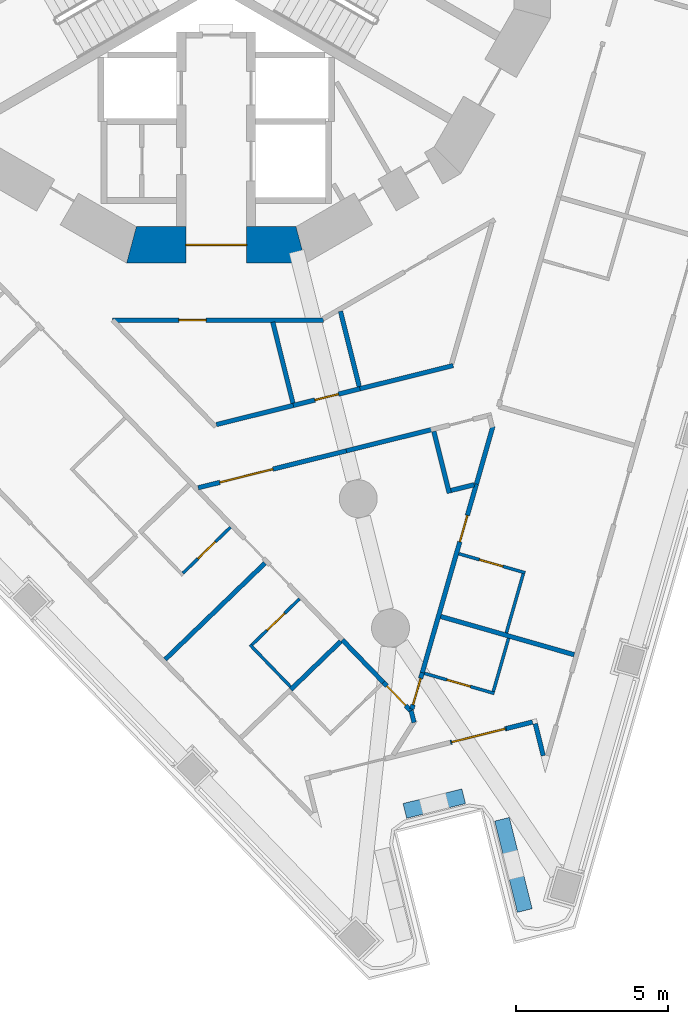
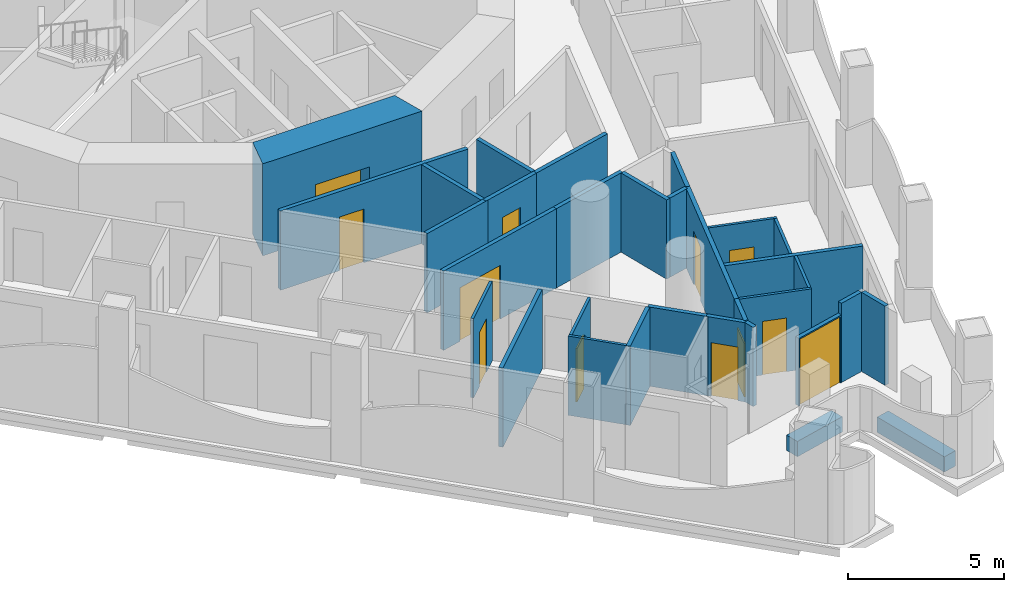
# One storey, part 4 of 20: 32 walls, 12 doors, 12 openings.
"""IFC4 building model written with IfcOpenShell, lengths in metres."""

from ifc_helpers import new_model, si_unit, direction, frame, frame_2d, origin, place, context, subcontext, project, spatial, polyline, rectangle, outline, extrude, material, layer, layer_set, type_object, element, fill, save


model = new_model("IFC4")

# Units and contexts
model_context = context("Model", 3, precision=1e-05, world=origin(), true_north=direction((0.0, 1.0)))
body_context = subcontext(model_context, "Body", "Model", "MODEL_VIEW")
ifc_project = project(units=[si_unit("LENGTHUNIT", "METRE"), si_unit("AREAUNIT", "SQUARE_METRE"), si_unit("VOLUMEUNIT", "CUBIC_METRE"), si_unit("PLANEANGLEUNIT", "RADIAN"), si_unit("MASSUNIT", "GRAM", prefix="KILO")], contexts=[model_context])

# Site, building, storey
site_placement = place(None, origin())
site = spatial("IfcSite", under=ifc_project, at=site_placement, CompositionType="ELEMENT")
building_placement = place(site_placement, origin())
building = spatial("IfcBuilding", under=site, at=building_placement, Name="Trine Commons Tower", CompositionType="ELEMENT")
storey_placement = place(building_placement, frame((0.0, 0.0, 116.10009765625)))
storey = spatial("IfcBuildingStorey", under=building, at=storey_placement, Name="L29", CompositionType="ELEMENT", Elevation=116.10009765625)

# Walls
ifc_material_1 = material(Name="Aluminium-framed insulated wall panel", Category="aluminium")
ifc_layer_1 = layer(ifc_material_1, 0.14990234375)
ifc_layer_set_1 = layer_set([ifc_layer_1], Name="Aluminium-framed insulated wall panel")
wall_type_1 = type_object("IfcWallType", Name="Glazed frame wall 150, EI 60", PredefinedType="SOLIDWALL", material=ifc_layer_set_1)
wall_1_placement = place(storey_placement, frame((90.810302734375, 35.118896484375, 0.0), z_axis=(0.0, 0.0, 1.0), x_axis=(-0.241937701072, 0.970291785393, 0.0)))
element("IfcWall", 1, at=wall_1_placement, inside=storey, type_object=wall_type_1, Name="Glazed frame wall R9", PredefinedType="SOLIDWALL", context=body_context, shape_type="SweptSolid", body=[
    extrude(outline(polyline([(0.1494140625, 0.074951171875), (0.1494140625, -0.074951171875), (1.235107421875, -0.074951171875), (1.235107421875, 0.074951171875), (0.1494140625, 0.074951171875)])), origin(), (0.0, 0.0, 1.0), 3.099853515625),
])
wall_2_placement = place(storey_placement, frame((90.527099609375, 36.398681640625, 0.0), z_axis=(0.0, 0.0, 1.0), x_axis=(-0.970285952705, -0.24196109188, 0.0)))
element("IfcWall", 2, at=wall_2_placement, inside=storey, type_object=wall_type_1, Name="Glazed frame wall P3.1", PredefinedType="SOLIDWALL", context=body_context, shape_type="SweptSolid", body=[
    extrude(outline(polyline([(0.110107421875, -0.074951171875), (1.0, -0.074951171875), (1.0, 0.074951171875), (0.110107421875, 0.074951171875), (0.110107421875, -0.074951171875)])), origin(), (0.0, 0.0, 1.0), 3.099853515625),
])

# Wall, opening, door
wall_3_placement = place(storey_placement, frame((89.556884765625, 36.15673828125, 0.0), z_axis=(0.0, 0.0, 1.0), x_axis=(-0.970285945114, -0.241961122321, 0.0)))
wall_3 = element("IfcWall", 3, at=wall_3_placement, inside=storey, type_object=wall_type_1, Name="Glazed frame wall P3.2", PredefinedType="SOLIDWALL", context=body_context, shape_type="SweptSolid", body=[
    extrude(outline(polyline([(0.0, -0.074951171875), (1.89990234375, -0.074951171875), (1.89990234375, 0.074951171875), (0.0, 0.074951171875), (0.0, -0.074951171875)])), origin(), (0.0, 0.0, 1.0), 2.64990234375),
])
opening_1_placement = place(wall_3_placement, frame((0.050048828125, 0.0, 0.0)))
opening_1 = element("IfcOpeningElement", 4, at=opening_1_placement, cuts=wall_3, Name="Opening BD-3P3-01", PredefinedType="OPENING", context=body_context, shape_type="SweptSolid", body=[
    extrude(rectangle(XDim=1.800048828125, YDim=2.60009765625, at=frame_2d((0.89990234375, 1.300048828125))), frame((0.0, 0.0849609375, 0.0), z_axis=(0.0, -1.0, 0.0), x_axis=(1.0, 0.0, 0.0)), (0.0, 0.0, 1.0), 0.169921875),
])
ifc_material_2 = material(Name="Anodised aluminium frame with double glazing", Category="aluminium")
door_type_1 = type_object("IfcDoorType", Name="Sliding loggia door 1800x2600", OperationType="SLIDING_TO_LEFT", PredefinedType="DOOR", material=ifc_material_2)
door_1_placement = place(opening_1_placement, origin())
door_1 = element("IfcDoor", 5, at=door_1_placement, inside=storey, type_object=door_type_1, Name="Loggia door P3 1", OperationType="SLIDING_TO_LEFT", OverallHeight=2.60009765625, OverallWidth=1.800048828125, PredefinedType="DOOR", context=body_context, shape_type="SweptSolid", body=[
    extrude(rectangle(XDim=1.800048828125, YDim=2.60009765625, at=frame_2d((0.89990234375, 1.300048828125))), frame((0.0, 0.02490234375, 0.0), z_axis=(0.0, -1.0, 0.0), x_axis=(1.0, 0.0, 0.0)), (0.0, 0.0, 1.0), 0.050048828125),
])
fill(opening_1, door_1)

# Walls
ifc_material_3 = material(Name="Planter trough, precast concrete C40/50", Category="concrete")
ifc_layer_2 = layer(ifc_material_3, 0.5)
ifc_layer_set_2 = layer_set([ifc_layer_2], Name="Planter trough, precast concrete C40/50")
wall_type_2 = type_object("IfcWallType", Name="Planter trough 500x600", PredefinedType="PARAPET", material=ifc_layer_set_2)
wall_4_placement = place(storey_placement, frame((90.16552734375, 30.160888671875, 0.0), z_axis=(0.0, 0.0, 1.0), x_axis=(-0.2419425832, 0.970290568044, 0.0)))
element("IfcWall", 6, at=wall_4_placement, inside=storey, type_object=wall_type_2, Name="Planter 7", PredefinedType="PARAPET", context=body_context, shape_type="SweptSolid", body=[
    extrude(rectangle(XDim=3.099853515625, YDim=0.5, at=frame_2d((1.5498046875, 0.0))), origin(), (0.0, 0.0, 1.0), 0.599853515625),
])
wall_5_placement = place(storey_placement, frame((88.15478515625, 33.92626953125, 0.0), z_axis=(0.0, 0.0, 1.0), x_axis=(-0.970285952705, -0.24196109188, 0.0)))
element("IfcWall", 7, at=wall_5_placement, inside=storey, type_object=wall_type_2, Name="Planter 8", PredefinedType="PARAPET", context=body_context, shape_type="SweptSolid", body=[
    extrude(rectangle(XDim=1.999755859375, YDim=0.5, at=frame_2d((1.0, 0.0))), origin(), (0.0, 0.0, 1.0), 0.599853515625),
])

# Wall, opening, door
ifc_material_4 = material(Name="Concrete C70/85", Category="concrete")
ifc_layer_3 = layer(ifc_material_4, 1.199951171875)
ifc_layer_set_3 = layer_set([ifc_layer_3], Name="Concrete C70/85")
wall_type_3 = type_object("IfcWallType", Name="RC shear wall 1200 mm, C70/85", PredefinedType="SHEAR", material=ifc_layer_set_3)
wall_6_placement = place(storey_placement, frame((77.049560546875, 52.08837890625, 0.0), z_axis=(0.0, 0.0, 1.0), x_axis=(1.0, 0.0, 0.0)))
wall_6 = element("IfcWall", 8, at=wall_6_placement, inside=storey, type_object=wall_type_3, Name="Core wall CWC-10 L29", PredefinedType="SHEAR", context=body_context, shape_type="SweptSolid", body=[
    extrude(outline(polyline([(0.0, -0.60009765625), (5.90087890625, -0.60009765625), (5.57958984375, 0.60009765625), (0.321533203125, 0.60009765625), (0.0, -0.60009765625)])), origin(), (0.0, 0.0, 1.0), 3.599853515625),
])
opening_2_placement = place(wall_6_placement, frame((1.950439453125, 0.0, 0.0)))
opening_2 = element("IfcOpeningElement", 9, at=opening_2_placement, cuts=wall_6, Name="Opening K04.08", PredefinedType="OPENING", context=body_context, shape_type="SweptSolid", body=[
    extrude(rectangle(XDim=2.0, YDim=2.10009765625, at=frame_2d((1.0, 1.050048828125))), frame((0.0, 0.60986328125, 0.0), z_axis=(0.0, -1.0, 0.0), x_axis=(1.0, 0.0, 0.0)), (0.0, 0.0, 1.0), 1.219970703125),
])
ifc_material_5 = material(Name="Steel door leaves, fire-rated", Category="steel")
door_type_2 = type_object("IfcDoorType", Name="Lobby door, double leaf 2000 x 2100, FD60", OperationType="DOUBLE_DOOR_SINGLE_SWING", PredefinedType="DOOR", material=ifc_material_5)
door_2_placement = place(opening_2_placement, origin())
door_2 = element("IfcDoor", 10, at=door_2_placement, inside=storey, type_object=door_type_2, Name="Lobby door, Service and firefighting lobby L29", OperationType="DOUBLE_DOOR_SINGLE_SWING", OverallHeight=2.10009765625, OverallWidth=2.0, PredefinedType="DOOR", context=body_context, shape_type="SweptSolid", body=[
    extrude(rectangle(XDim=2.0, YDim=2.10009765625, at=frame_2d((1.0, 1.050048828125))), frame((0.0, 0.02490234375, 0.0), z_axis=(0.0, -1.0, 0.0), x_axis=(1.0, 0.0, 0.0)), (0.0, 0.0, 1.0), 0.050048828125),
])
fill(opening_2, door_2)

ifc_material_6 = material(Name="Gypsum plasterboard on steel stud", Category="steel")
ifc_layer_4 = layer(ifc_material_6, 0.14990234375)
ifc_layer_set_4 = layer_set([ifc_layer_4], Name="Gypsum plasterboard on steel stud")
wall_type_4 = type_object("IfcWallType", Name="Unit and corridor wall 150 mm, EI 60", PredefinedType="PARTITIONING", material=ifc_layer_set_4)
wall_7_placement = place(storey_placement, frame((76.583984375, 49.613037109375, 0.0), z_axis=(0.0, 0.0, 1.0), x_axis=(1.0, 0.0, 0.0)))
wall_7 = element("IfcWall", 11, at=wall_7_placement, inside=storey, type_object=wall_type_4, Name="Partition 060", PredefinedType="PARTITIONING", context=body_context, shape_type="SweptSolid", body=[
    extrude(rectangle(XDim=6.944091796875, YDim=0.14990234375, at=frame_2d((3.47216796875, 0.0))), origin(), (0.0, 0.0, 1.0), 3.099853515625),
])
opening_3_placement = place(wall_7_placement, frame((2.18359375, 0.0, 0.0)))
opening_3 = element("IfcOpeningElement", 12, at=opening_3_placement, cuts=wall_7, Name="Opening D-3C38", PredefinedType="OPENING", context=body_context, shape_type="SweptSolid", body=[
    extrude(rectangle(XDim=0.89990234375, YDim=2.10009765625, at=frame_2d((0.449951171875, 1.050048828125))), frame((0.0, 0.0849609375, 0.0), z_axis=(0.0, -1.0, 0.0), x_axis=(1.0, 0.0, 0.0)), (0.0, 0.0, 1.0), 0.169921875),
])
ifc_material_7 = material(Name="Timber fire door set", Category="wood")
door_type_3 = type_object("IfcDoorType", Name="Service door 900 x 2100, FD30S", OperationType="NOTDEFINED", PredefinedType="DOOR", material=ifc_material_7)
door_3_placement = place(opening_3_placement, frame((0.89990234375, 0.0, 0.0), z_axis=(0.0, 0.0, 1.0), x_axis=(-1.0, 0.0, 0.0)))
door_3 = element("IfcDoor", 13, at=door_3_placement, inside=storey, type_object=door_type_3, Name="Door D-3C38", OperationType="SINGLE_SWING_RIGHT", OverallHeight=2.10009765625, OverallWidth=0.89990234375, PredefinedType="DOOR", context=body_context, shape_type="SweptSolid", body=[
    extrude(rectangle(XDim=0.89990234375, YDim=2.10009765625, at=frame_2d((0.449951171875, 1.050048828125))), frame((0.0, 0.02490234375, 0.0), z_axis=(0.0, -1.0, 0.0), x_axis=(1.0, 0.0, 0.0)), (0.0, 0.0, 1.0), 0.050048828125),
])
fill(opening_3, door_3)

# Wall
wall_8_placement = place(storey_placement, frame((78.31982421875, 38.430908203125, 0.0), z_axis=(0.0, 0.0, 1.0), x_axis=(0.719360056376, 0.694637394106, 0.0)))
element("IfcWall", 14, at=wall_8_placement, inside=storey, type_object=wall_type_4, Name="Partition 066", PredefinedType="PARTITIONING", context=body_context, shape_type="SweptSolid", body=[
    extrude(rectangle(XDim=4.572265625, YDim=0.14990234375, at=frame_2d((2.2861328125, 0.0))), origin(), (0.0, 0.0, 1.0), 3.099853515625),
])

# Wall, opening, door
wall_9_placement = place(storey_placement, frame((79.40869140625, 44.087158203125, 0.0), z_axis=(0.0, 0.0, 1.0), x_axis=(0.970285120957, 0.241964427241, 0.0)))
wall_9 = element("IfcWall", 15, at=wall_9_placement, inside=storey, type_object=wall_type_4, Name="Partition 069", PredefinedType="PARTITIONING", context=body_context, shape_type="SweptSolid", body=[
    extrude(rectangle(XDim=5.02880859375, YDim=0.14990234375, at=frame_2d((2.514404296875, 0.0))), origin(), (0.0, 0.0, 1.0), 3.099853515625),
])
opening_4_placement = place(wall_9_placement, frame((0.735595703125, 0.0, 0.0)))
opening_4 = element("IfcOpeningElement", 16, at=opening_4_placement, cuts=wall_9, Name="Opening D-3C02", PredefinedType="OPENING", context=body_context, shape_type="SweptSolid", body=[
    extrude(rectangle(XDim=1.800048828125, YDim=2.10009765625, at=frame_2d((0.89990234375, 1.050048828125))), frame((0.0, 0.0849609375, 0.0), z_axis=(0.0, -1.0, 0.0), x_axis=(1.0, 0.0, 0.0)), (0.0, 0.0, 1.0), 0.169921875),
])
door_type_4 = type_object("IfcDoorType", Name="Cluster entrance door 1800 x 2100, double leaf, FD30S", OperationType="DOUBLE_DOOR_DOUBLE_SWING", PredefinedType="DOOR", material=ifc_material_7)
door_4_placement = place(opening_4_placement, frame((1.800048828125, 0.0, 0.0), z_axis=(0.0, 0.0, 1.0), x_axis=(-1.0, 0.0, 0.0)))
door_4 = element("IfcDoor", 17, at=door_4_placement, inside=storey, type_object=door_type_4, Name="Door D-3C02", OperationType="DOUBLE_DOOR_DOUBLE_SWING", OverallHeight=2.10009765625, OverallWidth=1.800048828125, PredefinedType="DOOR", context=body_context, shape_type="SweptSolid", body=[
    extrude(rectangle(XDim=1.800048828125, YDim=2.10009765625, at=frame_2d((0.89990234375, 1.050048828125))), frame((0.0, 0.02490234375, 0.0), z_axis=(0.0, -1.0, 0.0), x_axis=(1.0, 0.0, 0.0)), (0.0, 0.0, 1.0), 0.050048828125),
])
fill(opening_4, door_4)

# Walls
wall_10_placement = place(storey_placement, frame((80.005859375, 46.168212890625, 0.0), z_axis=(0.0, 0.0, 1.0), x_axis=(0.970307222534, 0.241875781957, 0.0)))
element("IfcWall", 18, at=wall_10_placement, inside=storey, type_object=wall_type_4, Name="Partition 070", PredefinedType="PARTITIONING", context=body_context, shape_type="SweptSolid", body=[
    extrude(rectangle(XDim=2.698974609375, YDim=0.14990234375, at=frame_2d((1.349609375, 0.0))), origin(), (0.0, 0.0, 1.0), 3.099853515625),
])
wall_11_placement = place(storey_placement, frame((81.864990234375, 49.540283203125, 0.0), z_axis=(0.0, 0.0, 1.0), x_axis=(0.24199191412, -0.970278266015, 0.0)))
element("IfcWall", 19, at=wall_11_placement, inside=storey, type_object=wall_type_4, Name="Partition 077", PredefinedType="PARTITIONING", context=body_context, shape_type="SweptSolid", body=[
    extrude(rectangle(XDim=2.7470703125, YDim=0.14990234375, at=frame_2d((1.37353515625, 0.0))), origin(), (0.0, 0.0, 1.0), 3.099853515625),
])
wall_12_placement = place(storey_placement, frame((82.4619140625, 37.4423828125, 0.0), z_axis=(0.0, 0.0, 1.0), x_axis=(0.719213164188, 0.694789482116, 0.0)))
element("IfcWall", 20, at=wall_12_placement, inside=storey, type_object=wall_type_4, Name="Partition 079", PredefinedType="PARTITIONING", context=body_context, shape_type="SweptSolid", body=[
    extrude(rectangle(XDim=2.279052734375, YDim=0.14990234375, at=frame_2d((1.1396484375, 0.0))), origin(), (0.0, 0.0, 1.0), 3.099853515625),
])

# Wall, opening, door
wall_13_placement = place(storey_placement, frame((82.5439453125, 46.801025390625, 0.0), z_axis=(0.0, 0.0, 1.0), x_axis=(0.970237811433, 0.242154061015, 0.0)))
wall_13 = element("IfcWall", 21, at=wall_13_placement, inside=storey, type_object=wall_type_4, Name="Partition 080", PredefinedType="PARTITIONING", context=body_context, shape_type="SweptSolid", body=[
    extrude(rectangle(XDim=2.25830078125, YDim=0.14990234375, at=frame_2d((1.129150390625, 0.0))), origin(), (0.0, 0.0, 1.0), 3.099853515625),
])
opening_5_placement = place(wall_13_placement, frame((0.72900390625, 0.0, 0.0)))
opening_5 = element("IfcOpeningElement", 22, at=opening_5_placement, cuts=wall_13, Name="Opening D-3C41", PredefinedType="OPENING", context=body_context, shape_type="SweptSolid", body=[
    extrude(rectangle(XDim=0.800048828125, YDim=2.10009765625, at=frame_2d((0.39990234375, 1.050048828125))), frame((0.0, 0.0849609375, 0.0), z_axis=(0.0, -1.0, 0.0), x_axis=(1.0, 0.0, 0.0)), (0.0, 0.0, 1.0), 0.169921875),
])
ifc_material_8 = material(Name="Painted timber", Category="wood")
door_type_5 = type_object("IfcDoorType", Name="Toilet door 800 x 2100, NOT RATED", OperationType="NOTDEFINED", PredefinedType="DOOR", material=ifc_material_8)
door_5_placement = place(opening_5_placement, origin())
door_5 = element("IfcDoor", 23, at=door_5_placement, inside=storey, type_object=door_type_5, Name="Door D-3C41", OperationType="SINGLE_SWING_RIGHT", OverallHeight=2.10009765625, OverallWidth=0.800048828125, PredefinedType="DOOR", context=body_context, shape_type="SweptSolid", body=[
    extrude(rectangle(XDim=0.800048828125, YDim=2.10009765625, at=frame_2d((0.39990234375, 1.050048828125))), frame((0.0, 0.02490234375, 0.0), z_axis=(0.0, -1.0, 0.0), x_axis=(1.0, 0.0, 0.0)), (0.0, 0.0, 1.0), 0.050048828125),
])
fill(opening_5, door_5)

# Walls
wall_14_placement = place(storey_placement, frame((84.09521484375, 49.900146484375, 0.0), z_axis=(0.0, 0.0, 1.0), x_axis=(0.241659013466, -0.970361232331, 0.0)))
element("IfcWall", 24, at=wall_14_placement, inside=storey, type_object=wall_type_4, Name="Partition 086", PredefinedType="PARTITIONING", context=body_context, shape_type="SweptSolid", body=[
    extrude(rectangle(XDim=2.555908203125, YDim=0.14990234375, at=frame_2d((1.27783203125, 0.0))), origin(), (0.0, 0.0, 1.0), 3.099853515625),
])
wall_15_placement = place(storey_placement, frame((84.155029296875, 39.077880859375, 0.0), z_axis=(0.0, 0.0, 1.0), x_axis=(0.694942316006, -0.719065488967, 0.0)))
element("IfcWall", 25, at=wall_15_placement, inside=storey, type_object=wall_type_4, Name="Partition 088", PredefinedType="PARTITIONING", context=body_context, shape_type="SweptSolid", body=[
    extrude(rectangle(XDim=2.00390625, YDim=0.14990234375, at=frame_2d((1.001953125, 0.0))), origin(), (0.0, 0.0, 1.0), 3.099853515625),
])
wall_16_placement = place(storey_placement, frame((84.2880859375, 45.303955078125, 0.0), z_axis=(0.0, 0.0, 1.0), x_axis=(0.970312264522, 0.241855554658, 0.0)))
element("IfcWall", 26, at=wall_16_placement, inside=storey, type_object=wall_type_4, Name="Partition 089", PredefinedType="PARTITIONING", context=body_context, shape_type="SweptSolid", body=[
    extrude(rectangle(XDim=2.956787109375, YDim=0.14990234375, at=frame_2d((1.478515625, 0.0))), origin(), (0.0, 0.0, 1.0), 3.099853515625),
])
wall_17_placement = place(storey_placement, frame((84.72705078125, 47.345947265625, 0.0), z_axis=(0.0, 0.0, 1.0), x_axis=(0.970300600618, 0.241902344841, 0.0)))
element("IfcWall", 27, at=wall_17_placement, inside=storey, type_object=wall_type_4, Name="Partition 090", PredefinedType="PARTITIONING", context=body_context, shape_type="SweptSolid", body=[
    extrude(rectangle(XDim=3.175048828125, YDim=0.14990234375, at=frame_2d((1.58740234375, 0.0))), origin(), (0.0, 0.0, 1.0), 3.099853515625),
])

# Wall, opening, door
wall_18_placement = place(storey_placement, frame((85.508056640625, 37.677978515625, 0.0), z_axis=(0.0, 0.0, 1.0), x_axis=(0.694528581719, -0.719465113244, 0.0)))
wall_18 = element("IfcWall", 28, at=wall_18_placement, inside=storey, type_object=wall_type_4, Name="Partition 091", PredefinedType="PARTITIONING", context=body_context, shape_type="SweptSolid", body=[
    extrude(rectangle(XDim=1.32177734375, YDim=0.14990234375, at=frame_2d((0.660888671875, 0.0))), origin(), (0.0, 0.0, 1.0), 3.099853515625),
])
opening_6_placement = place(wall_18_placement, frame((0.165283203125, 0.0, 0.0)))
opening_6 = element("IfcOpeningElement", 29, at=opening_6_placement, cuts=wall_18, Name="Opening D-3C25", PredefinedType="OPENING", context=body_context, shape_type="SweptSolid", body=[
    extrude(rectangle(XDim=0.89990234375, YDim=2.10009765625, at=frame_2d((0.449951171875, 1.050048828125))), frame((0.0, 0.0849609375, 0.0), z_axis=(0.0, -1.0, 0.0), x_axis=(1.0, 0.0, 0.0)), (0.0, 0.0, 1.0), 0.169921875),
])
door_type_6 = type_object("IfcDoorType", Name="Bedroom door 900 x 2100, FD30S", OperationType="NOTDEFINED", PredefinedType="DOOR", material=ifc_material_7)
door_6_placement = place(opening_6_placement, frame((0.89990234375, 0.0, 0.0), z_axis=(0.0, 0.0, 1.0), x_axis=(-1.0, 0.0, 0.0)))
door_6 = element("IfcDoor", 30, at=door_6_placement, inside=storey, type_object=door_type_6, Name="Door D-3C25", OperationType="SINGLE_SWING_RIGHT", OverallHeight=2.10009765625, OverallWidth=0.89990234375, PredefinedType="DOOR", context=body_context, shape_type="SweptSolid", body=[
    extrude(rectangle(XDim=0.89990234375, YDim=2.10009765625, at=frame_2d((0.449951171875, 1.050048828125))), frame((0.0, 0.02490234375, 0.0), z_axis=(0.0, -1.0, 0.0), x_axis=(1.0, 0.0, 0.0)), (0.0, 0.0, 1.0), 0.050048828125),
])
fill(opening_6, door_6)

# Wall
wall_19_placement = place(storey_placement, frame((86.422119140625, 36.7421875, 0.0), z_axis=(0.0, 0.0, 1.0), x_axis=(0.241673946692, -0.970357513234, 0.0)))
element("IfcWall", 31, at=wall_19_placement, inside=storey, type_object=wall_type_4, Name="Partition 093", PredefinedType="PARTITIONING", context=body_context, shape_type="SweptSolid", body=[
    extrude(rectangle(XDim=0.400146484375, YDim=0.14990234375, at=frame_2d((0.2001953125, 0.0))), origin(), (0.0, 0.0, 1.0), 3.099853515625),
])

# Wall, opening, door
wall_20_placement = place(storey_placement, frame((86.446533203125, 36.799072265625, 0.0), z_axis=(0.0, 0.0, 1.0), x_axis=(0.275419104485, 0.961324251689, 0.0)))
wall_20 = element("IfcWall", 32, at=wall_20_placement, inside=storey, type_object=wall_type_4, Name="Partition 094", PredefinedType="PARTITIONING", context=body_context, shape_type="SweptSolid", body=[
    extrude(rectangle(XDim=1.247314453125, YDim=0.14990234375, at=frame_2d((0.62353515625, 0.0))), origin(), (0.0, 0.0, 1.0), 3.099853515625),
])
opening_7_placement = place(wall_20_placement, frame((0.14990234375, 0.0, 0.0)))
opening_7 = element("IfcOpeningElement", 33, at=opening_7_placement, cuts=wall_20, Name="Opening D-3C24", PredefinedType="OPENING", context=body_context, shape_type="SweptSolid", body=[
    extrude(rectangle(XDim=0.89990234375, YDim=2.10009765625, at=frame_2d((0.449951171875, 1.050048828125))), frame((0.0, 0.0849609375, 0.0), z_axis=(0.0, -1.0, 0.0), x_axis=(1.0, 0.0, 0.0)), (0.0, 0.0, 1.0), 0.169921875),
])
door_7_placement = place(opening_7_placement, frame((0.89990234375, 0.0, 0.0), z_axis=(0.0, 0.0, 1.0), x_axis=(-1.0, 0.0, 0.0)))
door_7 = element("IfcDoor", 34, at=door_7_placement, inside=storey, type_object=door_type_6, Name="Door D-3C24", OperationType="SINGLE_SWING_RIGHT", OverallHeight=2.10009765625, OverallWidth=0.89990234375, PredefinedType="DOOR", context=body_context, shape_type="SweptSolid", body=[
    extrude(rectangle(XDim=0.89990234375, YDim=2.10009765625, at=frame_2d((0.449951171875, 1.050048828125))), frame((0.0, 0.02490234375, 0.0), z_axis=(0.0, -1.0, 0.0), x_axis=(1.0, 0.0, 0.0)), (0.0, 0.0, 1.0), 0.050048828125),
])
fill(opening_7, door_7)

wall_21_placement = place(storey_placement, frame((86.774169921875, 37.94189453125, 0.0), z_axis=(0.0, 0.0, 1.0), x_axis=(0.27569065488, 0.961246411079, 0.0)))
wall_21 = element("IfcWall", 35, at=wall_21_placement, inside=storey, type_object=wall_type_4, Name="Partition 095", PredefinedType="PARTITIONING", context=body_context, shape_type="SweptSolid", body=[
    extrude(rectangle(XDim=6.517822265625, YDim=0.14990234375, at=frame_2d((3.2587890625, 0.0))), origin(), (0.0, 0.0, 1.0), 3.099853515625),
])
opening_8_placement = place(wall_21_placement, frame((4.542724609375, 0.0, 0.0)))
opening_8 = element("IfcOpeningElement", 36, at=opening_8_placement, cuts=wall_21, Name="Opening D-3C23", PredefinedType="OPENING", context=body_context, shape_type="SweptSolid", body=[
    extrude(rectangle(XDim=0.89990234375, YDim=2.10009765625, at=frame_2d((0.449951171875, 1.050048828125))), frame((0.0, 0.0849609375, 0.0), z_axis=(0.0, -1.0, 0.0), x_axis=(1.0, 0.0, 0.0)), (0.0, 0.0, 1.0), 0.169921875),
])
door_8_placement = place(opening_8_placement, frame((0.89990234375, 0.0, 0.0), z_axis=(0.0, 0.0, 1.0), x_axis=(-1.0, 0.0, 0.0)))
door_8 = element("IfcDoor", 37, at=door_8_placement, inside=storey, type_object=door_type_6, Name="Door D-3C23", OperationType="SINGLE_SWING_LEFT", OverallHeight=2.10009765625, OverallWidth=0.89990234375, PredefinedType="DOOR", context=body_context, shape_type="SweptSolid", body=[
    extrude(rectangle(XDim=0.89990234375, YDim=2.10009765625, at=frame_2d((0.449951171875, 1.050048828125))), frame((0.0, 0.02490234375, 0.0), z_axis=(0.0, -1.0, 0.0), x_axis=(1.0, 0.0, 0.0)), (0.0, 0.0, 1.0), 0.050048828125),
])
fill(opening_8, door_8)

# Walls
wall_22_placement = place(storey_placement, frame((87.171142578125, 45.9453125, 0.0), z_axis=(0.0, 0.0, 1.0), x_axis=(0.241879199479, -0.970306370617, 0.0)))
element("IfcWall", 38, at=wall_22_placement, inside=storey, type_object=wall_type_4, Name="Partition 099", PredefinedType="PARTITIONING", context=body_context, shape_type="SweptSolid", body=[
    extrude(rectangle(XDim=2.100341796875, YDim=0.14990234375, at=frame_2d((1.05029296875, 0.0))), origin(), (0.0, 0.0, 1.0), 3.099853515625),
])
wall_23_placement = place(storey_placement, frame((87.399169921875, 39.847412109375, 0.0), z_axis=(0.0, 0.0, 1.0), x_axis=(0.961251469363, -0.275673017626, 0.0)))
element("IfcWall", 39, at=wall_23_placement, inside=storey, type_object=wall_type_4, Name="Partition 100", PredefinedType="PARTITIONING", context=body_context, shape_type="SweptSolid", body=[
    extrude(rectangle(XDim=4.572509765625, YDim=0.14990234375, at=frame_2d((2.2861328125, 0.0))), origin(), (0.0, 0.0, 1.0), 3.099853515625),
])
wall_24_placement = place(storey_placement, frame((87.73388671875, 43.998291015625, 0.0), z_axis=(0.0, 0.0, 1.0), x_axis=(0.970342701531, 0.241733410155, 0.0)))
element("IfcWall", 40, at=wall_24_placement, inside=storey, type_object=wall_type_4, Name="Partition 101", PredefinedType="PARTITIONING", context=body_context, shape_type="SweptSolid", body=[
    extrude(rectangle(XDim=0.787841796875, YDim=0.14990234375, at=frame_2d((0.39404296875, 0.0))), origin(), (0.0, 0.0, 1.0), 3.099853515625),
])
wall_25_placement = place(storey_placement, frame((88.571044921875, 44.20703125, 0.0), z_axis=(0.0, 0.0, 1.0), x_axis=(0.275350032507, 0.961344038104, 0.0)))
element("IfcWall", 41, at=wall_25_placement, inside=storey, type_object=wall_type_4, Name="Partition 105", PredefinedType="PARTITIONING", context=body_context, shape_type="SweptSolid", body=[
    extrude(rectangle(XDim=1.99951171875, YDim=0.14990234375, at=frame_2d((0.999755859375, 0.0))), origin(), (0.0, 0.0, 1.0), 3.099853515625),
])

# Wall, opening, door
ifc_layer_5 = layer(ifc_material_6, 0.10009765625)
ifc_layer_set_5 = layer_set([ifc_layer_5], Name="Gypsum plasterboard on steel stud")
wall_type_5 = type_object("IfcWallType", Name="Unit partition 100 mm, no rating", PredefinedType="PARTITIONING", material=ifc_layer_set_5)
wall_26_placement = place(storey_placement, frame((78.906005859375, 41.274658203125, 0.0), z_axis=(0.0, 0.0, 1.0), x_axis=(0.719343447932, 0.694654593245, 0.0)))
wall_26 = element("IfcWall", 42, at=wall_26_placement, inside=storey, type_object=wall_type_5, Name="Partition 068", PredefinedType="PARTITIONING", context=body_context, shape_type="SweptSolid", body=[
    extrude(rectangle(XDim=2.175537109375, YDim=0.10009765625, at=frame_2d((1.087890625, 0.0))), origin(), (0.0, 0.0, 1.0), 3.099853515625),
])
opening_9_placement = place(wall_26_placement, frame((0.687744140625, 0.0, 0.0)))
opening_9 = element("IfcOpeningElement", 43, at=opening_9_placement, cuts=wall_26, Name="Opening D-3C62", PredefinedType="OPENING", context=body_context, shape_type="SweptSolid", body=[
    extrude(rectangle(XDim=0.800048828125, YDim=2.10009765625, at=frame_2d((0.39990234375, 1.050048828125))), frame((0.0, 0.06005859375, 0.0), z_axis=(0.0, -1.0, 0.0), x_axis=(1.0, 0.0, 0.0)), (0.0, 0.0, 1.0), 0.1201171875),
])
door_type_7 = type_object("IfcDoorType", Name="Internal door 800 x 2100, NOT RATED", OperationType="NOTDEFINED", PredefinedType="DOOR", material=ifc_material_8)
door_9_placement = place(opening_9_placement, frame((0.800048828125, 0.0, 0.0), z_axis=(0.0, 0.0, 1.0), x_axis=(-1.0, 0.0, 0.0)))
door_9 = element("IfcDoor", 44, at=door_9_placement, inside=storey, type_object=door_type_7, Name="Door D-3C62", OperationType="SINGLE_SWING_RIGHT", OverallHeight=2.10009765625, OverallWidth=0.800048828125, PredefinedType="DOOR", context=body_context, shape_type="SweptSolid", body=[
    extrude(rectangle(XDim=0.800048828125, YDim=2.10009765625, at=frame_2d((0.39990234375, 1.050048828125))), frame((0.0, 0.02490234375, 0.0), z_axis=(0.0, -1.0, 0.0), x_axis=(1.0, 0.0, 0.0)), (0.0, 0.0, 1.0), 0.050048828125),
])
fill(opening_9, door_9)

# Wall
wall_27_placement = place(storey_placement, frame((81.111328125, 38.9189453125, 0.0), z_axis=(0.0, 0.0, 1.0), x_axis=(0.694700856484, -0.719298769636, 0.0)))
element("IfcWall", 45, at=wall_27_placement, inside=storey, type_object=wall_type_5, Name="Partition 073", PredefinedType="PARTITIONING", context=body_context, shape_type="SweptSolid", body=[
    extrude(rectangle(XDim=1.925537109375, YDim=0.10009765625, at=frame_2d((0.962890625, 0.0))), origin(), (0.0, 0.0, 1.0), 3.099853515625),
])

# Wall, opening, door
wall_28_placement = place(storey_placement, frame((81.181884765625, 38.917724609375, 0.0), z_axis=(0.0, 0.0, 1.0), x_axis=(0.719397593573, 0.69459851883, 0.0)))
wall_28 = element("IfcWall", 46, at=wall_28_placement, inside=storey, type_object=wall_type_5, Name="Partition 074", PredefinedType="PARTITIONING", context=body_context, shape_type="SweptSolid", body=[
    extrude(rectangle(XDim=2.17578125, YDim=0.10009765625, at=frame_2d((1.087890625, 0.0))), origin(), (0.0, 0.0, 1.0), 3.099853515625),
])
opening_10_placement = place(wall_28_placement, frame((0.687744140625, 0.0, 0.0)))
opening_10 = element("IfcOpeningElement", 47, at=opening_10_placement, cuts=wall_28, Name="Opening D-3C61", PredefinedType="OPENING", context=body_context, shape_type="SweptSolid", body=[
    extrude(rectangle(XDim=0.800048828125, YDim=2.10009765625, at=frame_2d((0.39990234375, 1.050048828125))), frame((0.0, 0.06005859375, 0.0), z_axis=(0.0, -1.0, 0.0), x_axis=(1.0, 0.0, 0.0)), (0.0, 0.0, 1.0), 0.1201171875),
])
door_10_placement = place(opening_10_placement, origin())
door_10 = element("IfcDoor", 48, at=door_10_placement, inside=storey, type_object=door_type_7, Name="Door D-3C61", OperationType="SINGLE_SWING_LEFT", OverallHeight=2.10009765625, OverallWidth=0.800048828125, PredefinedType="DOOR", context=body_context, shape_type="SweptSolid", body=[
    extrude(rectangle(XDim=0.800048828125, YDim=2.10009765625, at=frame_2d((0.39990234375, 1.050048828125))), frame((0.0, 0.02490234375, 0.0), z_axis=(0.0, -1.0, 0.0), x_axis=(1.0, 0.0, 0.0)), (0.0, 0.0, 1.0), 0.050048828125),
])
fill(opening_10, door_10)

wall_29_placement = place(storey_placement, frame((86.861083984375, 37.973388671875, 0.0), z_axis=(0.0, 0.0, 1.0), x_axis=(0.961254192868, -0.275663520789, 0.0)))
wall_29 = element("IfcWall", 49, at=wall_29_placement, inside=storey, type_object=wall_type_5, Name="Partition 096", PredefinedType="PARTITIONING", context=body_context, shape_type="SweptSolid", body=[
    extrude(rectangle(XDim=2.394775390625, YDim=0.10009765625, at=frame_2d((1.197265625, 0.0))), origin(), (0.0, 0.0, 1.0), 3.099853515625),
])
opening_11_placement = place(wall_29_placement, frame((0.772216796875, 0.0, 0.0)))
opening_11 = element("IfcOpeningElement", 50, at=opening_11_placement, cuts=wall_29, Name="Opening D-3C59", PredefinedType="OPENING", context=body_context, shape_type="SweptSolid", body=[
    extrude(rectangle(XDim=0.800048828125, YDim=2.10009765625, at=frame_2d((0.39990234375, 1.050048828125))), frame((0.0, 0.06005859375, 0.0), z_axis=(0.0, -1.0, 0.0), x_axis=(1.0, 0.0, 0.0)), (0.0, 0.0, 1.0), 0.1201171875),
])
door_11_placement = place(opening_11_placement, frame((0.800048828125, 0.0, 0.0), z_axis=(0.0, 0.0, 1.0), x_axis=(-1.0, 0.0, 0.0)))
door_11 = element("IfcDoor", 51, at=door_11_placement, inside=storey, type_object=door_type_7, Name="Door D-3C59", OperationType="SINGLE_SWING_RIGHT", OverallHeight=2.10009765625, OverallWidth=0.800048828125, PredefinedType="DOOR", context=body_context, shape_type="SweptSolid", body=[
    extrude(rectangle(XDim=0.800048828125, YDim=2.10009765625, at=frame_2d((0.39990234375, 1.050048828125))), frame((0.0, 0.02490234375, 0.0), z_axis=(0.0, -1.0, 0.0), x_axis=(1.0, 0.0, 0.0)), (0.0, 0.0, 1.0), 0.050048828125),
])
fill(opening_11, door_11)

wall_30_placement = place(storey_placement, frame((87.9912109375, 41.914306640625, 0.0), z_axis=(0.0, 0.0, 1.0), x_axis=(0.961244019441, -0.27569899363, 0.0)))
wall_30 = element("IfcWall", 52, at=wall_30_placement, inside=storey, type_object=wall_type_5, Name="Partition 104", PredefinedType="PARTITIONING", context=body_context, shape_type="SweptSolid", body=[
    extrude(rectangle(XDim=2.27490234375, YDim=0.10009765625, at=frame_2d((1.137451171875, 0.0))), origin(), (0.0, 0.0, 1.0), 3.099853515625),
])
opening_12_placement = place(wall_30_placement, frame((0.71240234375, 0.0, 0.0)))
opening_12 = element("IfcOpeningElement", 53, at=opening_12_placement, cuts=wall_30, Name="Opening D-3C58", PredefinedType="OPENING", context=body_context, shape_type="SweptSolid", body=[
    extrude(rectangle(XDim=0.800048828125, YDim=2.10009765625, at=frame_2d((0.39990234375, 1.050048828125))), frame((0.0, 0.06005859375, 0.0), z_axis=(0.0, -1.0, 0.0), x_axis=(1.0, 0.0, 0.0)), (0.0, 0.0, 1.0), 0.1201171875),
])
door_12_placement = place(opening_12_placement, origin())
door_12 = element("IfcDoor", 54, at=door_12_placement, inside=storey, type_object=door_type_7, Name="Door D-3C58", OperationType="SINGLE_SWING_LEFT", OverallHeight=2.10009765625, OverallWidth=0.800048828125, PredefinedType="DOOR", context=body_context, shape_type="SweptSolid", body=[
    extrude(rectangle(XDim=0.800048828125, YDim=2.10009765625, at=frame_2d((0.39990234375, 1.050048828125))), frame((0.0, 0.02490234375, 0.0), z_axis=(0.0, -1.0, 0.0), x_axis=(1.0, 0.0, 0.0)), (0.0, 0.0, 1.0), 0.050048828125),
])
fill(opening_12, door_12)

# Walls
wall_31_placement = place(storey_placement, frame((89.12890625, 37.375, 0.0), z_axis=(0.0, 0.0, 1.0), x_axis=(0.27588722246, 0.961190012684, 0.0)))
element("IfcWall", 55, at=wall_31_placement, inside=storey, type_object=wall_type_5, Name="Partition 109", PredefinedType="PARTITIONING", context=body_context, shape_type="SweptSolid", body=[
    extrude(rectangle(XDim=1.82470703125, YDim=0.10009765625, at=frame_2d((0.912353515625, 0.0))), origin(), (0.0, 0.0, 1.0), 3.099853515625),
])
wall_32_placement = place(storey_placement, frame((89.55859375, 39.30615234375, 0.0), z_axis=(0.0, 0.0, 1.0), x_axis=(0.275357985943, 0.96134176003, 0.0)))
element("IfcWall", 56, at=wall_32_placement, inside=storey, type_object=wall_type_5, Name="Partition 115", PredefinedType="PARTITIONING", context=body_context, shape_type="SweptSolid", body=[
    extrude(rectangle(XDim=2.025146484375, YDim=0.10009765625, at=frame_2d((1.0126953125, 0.0))), origin(), (0.0, 0.0, 1.0), 3.099853515625),
])

save(model, "model.ifc")
